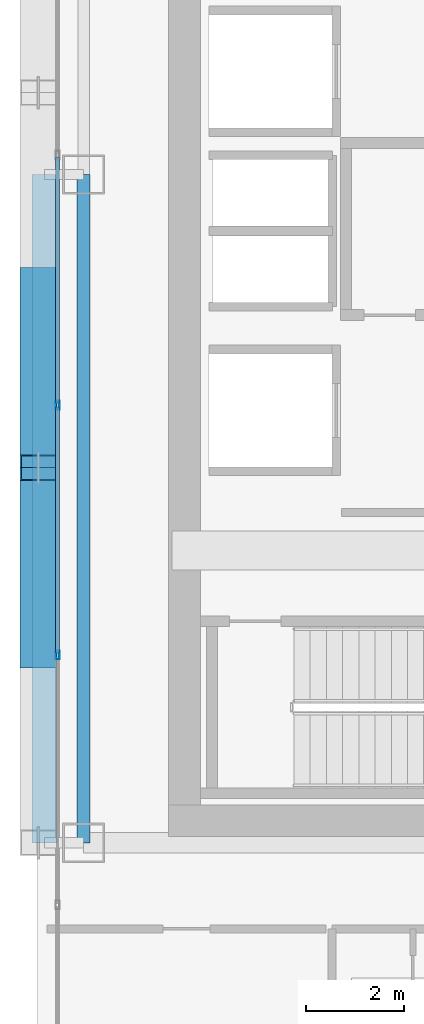
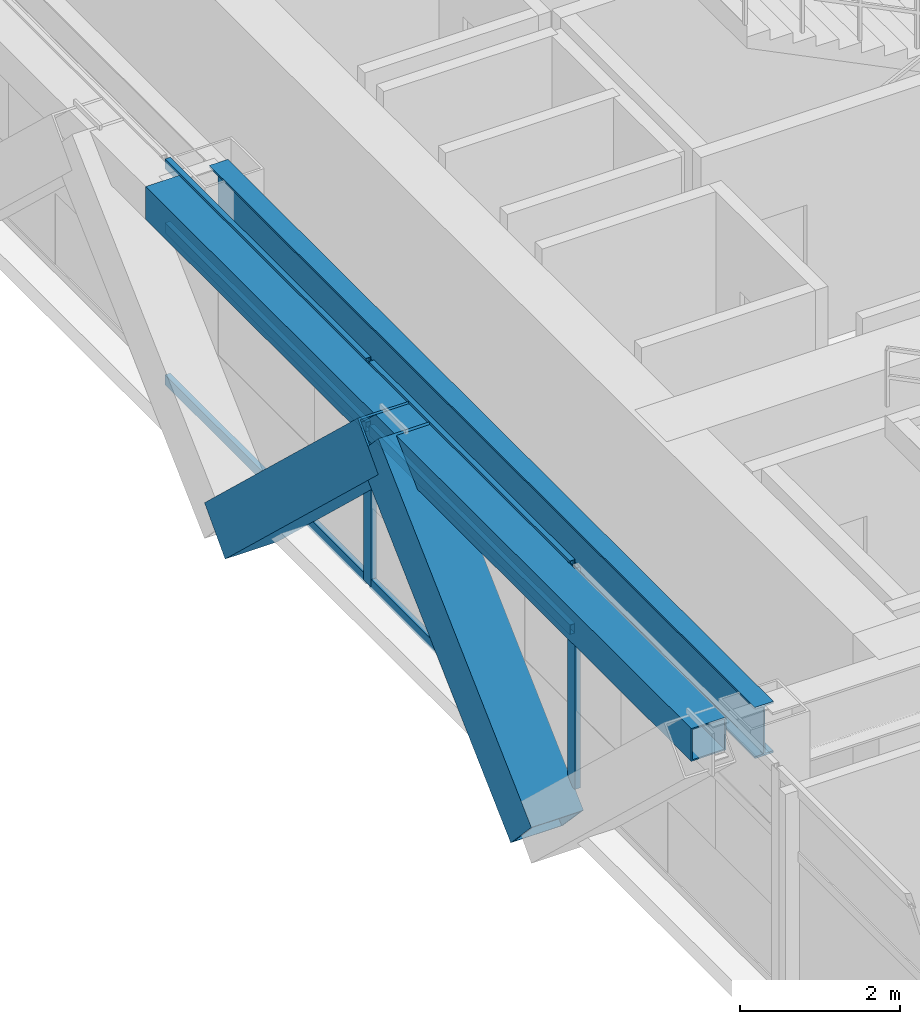
# One storey, part 6 of 35: 10 members, 2 beams, 1 element without a shape of its own.
"""IFC4 building model written with IfcOpenShell, lengths in metres."""

import ifcopenshell
import ifcopenshell.guid

model = None  # the IFC model being written
_history = None  # IfcOwnerHistory: only IFC2X3 demands one
_inside = {}  # id of a spatial element -> (the spatial element, [elements in it])
_under = {}  # id of a project, library or spatial element -> (it, [spatial elements below it])
_declared = {}  # id of a project -> (the project, [libraries it declares])
_typed = {}  # id of a type object -> (the type object, [elements of that type])
_made_of = {}  # id of a material, layer set ... -> (it, [elements and type objects made of it])


def new_model(schema):
    """Start an empty IFC model of exactly this schema.

    Asked for "IFC4X3", IfcOpenShell would pick the latest addendum, in which some entities
    have other attributes; the version numbers below select the first issue.
    IFC2X3 requires an IfcOwnerHistory on every rooted entity: one is made here for all.
    """
    global model, _history
    if schema == "IFC4X3":
        model = ifcopenshell.file(schema_version=(4, 3, 0, 0))
    else:
        model = ifcopenshell.file(schema=schema)
    _inside.clear()
    _under.clear()
    _declared.clear()
    _typed.clear()
    _made_of.clear()
    _history = None
    if model.schema == "IFC2X3":
        org = make("IfcOrganization", Name="unknown")
        user = make(
            "IfcPersonAndOrganization",
            ThePerson=make("IfcPerson", FamilyName="unknown"),
            TheOrganization=org,
        )
        app = make(
            "IfcApplication",
            ApplicationDeveloper=org,
            Version="unknown",
            ApplicationFullName="unknown",
            ApplicationIdentifier="unknown",
        )
        _history = make(
            "IfcOwnerHistory",
            OwningUser=user,
            OwningApplication=app,
            ChangeAction="ADDED",
            CreationDate=0,
        )
    return model


def make(cls, **values):
    """One entity of the class cls with the attributes given. An attribute that is None is left unset."""
    return model.create_entity(
        cls, **{name: value for name, value in values.items() if value is not None}
    )


def rooted(cls, **values):
    """An entity with a GlobalId (a new one), such as an element, a storey or a relation."""
    return make(cls, GlobalId=ifcopenshell.guid.new(), OwnerHistory=_history, **values)


def si_unit(unit_type, name, prefix=None):
    """IfcSIUnit, for example si_unit("LENGTHUNIT", "METRE", prefix="MILLI")."""
    return make("IfcSIUnit", UnitType=unit_type, Prefix=prefix, Name=name)


def assignment(units):
    """IfcUnitAssignment: the units of a project."""
    return None if units is None else make("IfcUnitAssignment", Units=units)


def point(xyz):
    """IfcCartesianPoint."""
    return None if xyz is None else make("IfcCartesianPoint", Coordinates=xyz)


def direction(xyz):
    """IfcDirection."""
    return None if xyz is None else make("IfcDirection", DirectionRatios=xyz)


def frame(location, z_axis=None, x_axis=None):
    """IfcAxis2Placement3D, a coordinate frame: its origin and axes. An axis left out is left unset."""
    return make(
        "IfcAxis2Placement3D",
        Location=point(location),
        Axis=direction(z_axis),
        RefDirection=direction(x_axis),
    )


def frame_2d(location, x_axis=None):
    """IfcAxis2Placement2D, a coordinate frame in the plane: its origin and x axis."""
    return make(
        "IfcAxis2Placement2D", Location=point(location), RefDirection=direction(x_axis)
    )


def origin():
    """The frame at (0, 0, 0) with its axes left unset."""
    return frame((0.0, 0.0, 0.0))


def origin_2d():
    """The frame at (0, 0) in the plane with its x axis left unset."""
    return frame_2d((0.0, 0.0))


def place(relative_to, where):
    """IfcLocalPlacement: puts the frame where relative to a parent placement (None: the world)."""
    return make(
        "IfcLocalPlacement", PlacementRelTo=relative_to, RelativePlacement=where
    )


def context(
    kind, dimensions, precision=None, world=None, true_north=None, identifier=None
):
    """IfcGeometricRepresentationContext, for example the 3D "Model" context."""
    return make(
        "IfcGeometricRepresentationContext",
        ContextIdentifier=identifier,
        ContextType=kind,
        CoordinateSpaceDimension=dimensions,
        Precision=precision,
        WorldCoordinateSystem=world,
        TrueNorth=true_north,
    )


def subcontext(parent, identifier, kind, view, scale=None):
    """IfcGeometricRepresentationSubContext, for example "Body" below "Model"."""
    return make(
        "IfcGeometricRepresentationSubContext",
        ContextIdentifier=identifier,
        ContextType=kind,
        ParentContext=parent,
        TargetScale=scale,
        TargetView=view,
    )


def project(units=None, contexts=None):
    """IfcProject with its units and contexts."""
    return rooted(
        "IfcProject",
        Name="project",
        RepresentationContexts=contexts,
        UnitsInContext=assignment(units),
    )


def spatial(cls, under=None, at=None, **own):
    """A site, building, storey or space (cls), placed at a placement, below another one or the project."""
    s = rooted(cls, ObjectPlacement=at, **own)
    if under is not None:
        _under.setdefault(under.id(), (under, []))[1].append(s)
    return s


def profile(cls, at=None, kind="AREA", **sizes):
    """A parametric profile (cls). Its sizes go by their IFC names, for example OverallWidth=200.0."""
    return make(cls, ProfileType=kind, Position=at, **sizes)


def hollow_rectangle(**sizes):
    """IfcRectangleHollowProfileDef."""
    return profile("IfcRectangleHollowProfileDef", **sizes)


def i_section(**sizes):
    """IfcIShapeProfileDef."""
    return profile("IfcIShapeProfileDef", **sizes)


def extrude(swept, where, along, depth):
    """IfcExtrudedAreaSolid: the profile swept, set in the frame where, extruded along a direction by depth."""
    return make(
        "IfcExtrudedAreaSolid",
        SweptArea=swept,
        Position=where,
        ExtrudedDirection=direction(along),
        Depth=depth,
    )


def shape(context_of_items, identifier, shape_type, items):
    """IfcShapeRepresentation: the items that make up one representation, for example the "Body"."""
    return make(
        "IfcShapeRepresentation",
        ContextOfItems=context_of_items,
        RepresentationIdentifier=identifier,
        RepresentationType=shape_type,
        Items=items,
    )


def source(mapping_origin, context_of_items, identifier, shape_type, items):
    """IfcRepresentationMap: a shape defined once, which mapped items show again and again."""
    return make(
        "IfcRepresentationMap",
        MappingOrigin=mapping_origin,
        MappedRepresentation=shape(context_of_items, identifier, shape_type, items),
    )


def transform(
    local_origin,
    x_axis=None,
    y_axis=None,
    z_axis=None,
    scale=None,
    scale2=None,
    scale3=None,
    uniform=True,
):
    """IfcCartesianTransformationOperator3D, or its non-uniform kind. x_axis, y_axis, z_axis: its Axis1, 2, 3."""
    if uniform:
        return make(
            "IfcCartesianTransformationOperator3D",
            Axis1=direction(x_axis),
            Axis2=direction(y_axis),
            LocalOrigin=point(local_origin),
            Scale=scale,
            Axis3=direction(z_axis),
        )
    return make(
        "IfcCartesianTransformationOperator3DnonUniform",
        Axis1=direction(x_axis),
        Axis2=direction(y_axis),
        LocalOrigin=point(local_origin),
        Scale=scale,
        Axis3=direction(z_axis),
        Scale2=scale2,
        Scale3=scale3,
    )


def mapped(mapping_source, mapping_target):
    """IfcMappedItem: shows the shape of a source again, moved by a transform."""
    return make(
        "IfcMappedItem", MappingSource=mapping_source, MappingTarget=mapping_target
    )


def material(Name=None, Category=None):
    """IfcMaterial."""
    return make("IfcMaterial", Name=Name, Category=Category)


def layer(
    of_material, thickness, ventilated=None, Name=None, Category=None, Priority=None
):
    """IfcMaterialLayer: one layer of a wall or slab, of a material (None: an air gap)."""
    return make(
        "IfcMaterialLayer",
        Material=of_material,
        LayerThickness=thickness,
        IsVentilated=ventilated,
        Name=Name,
        Category=Category,
        Priority=Priority,
    )


def layer_set(layers, Name=None):
    """IfcMaterialLayerSet."""
    return make("IfcMaterialLayerSet", MaterialLayers=layers, LayerSetName=Name)


def material_profile(
    of_material, cross_section, Name=None, Category=None, Priority=None
):
    """IfcMaterialProfile: a cross section and its material."""
    return make(
        "IfcMaterialProfile",
        Name=Name,
        Material=of_material,
        Profile=cross_section,
        Priority=Priority,
        Category=Category,
    )


def profile_set(profiles, Name=None, composite=None):
    """IfcMaterialProfileSet."""
    return make(
        "IfcMaterialProfileSet",
        Name=Name,
        MaterialProfiles=profiles,
        CompositeProfile=composite,
    )


def made_of(thing, what):
    """Note that an element or type object is made of a material, layer set ...; save() writes the relation."""
    if what is not None:
        _made_of.setdefault(what.id(), (what, []))[1].append(thing)
    return thing


def type_object(cls, material=None, **own):
    """A type object (cls), such as IfcWallType, which elements share."""
    return made_of(rooted(cls, **own), material)


def element(
    cls,
    number,
    at=None,
    inside=None,
    cuts=None,
    type_object=None,
    material=None,
    context=None,
    identifier="Body",
    shape_type=None,
    held_by="IfcProductDefinitionShape",
    body=None,
    shapes=None,
    **own,
):
    """One element of the class cls, such as IfcWall. Its Tag is "e" and its number.

    at: its placement. inside: the storey or other place that contains it. cuts: it is an
    opening in that element (IfcRelVoidsElement). A single representation is given by context,
    identifier, shape_type and body (its items); several are given by shapes. held_by: the class
    of the entity that holds the representations. save() writes the other relations.
    """
    e = rooted(cls, Tag="e%d" % number, ObjectPlacement=at, **own)
    if body is not None:
        shapes = [shape(context, identifier, shape_type, body)]
    if shapes is not None:
        e.Representation = make(held_by, Representations=shapes)
    if inside is not None:
        _inside.setdefault(inside.id(), (inside, []))[1].append(e)
    if cuts is not None:
        rooted(
            "IfcRelVoidsElement", RelatingBuildingElement=cuts, RelatedOpeningElement=e
        )
    if type_object is not None:
        _typed.setdefault(type_object.id(), (type_object, []))[1].append(e)
    return made_of(e, material)


def aggregate(whole, parts):
    """IfcRelAggregates: a whole, such as a stair, and the parts it consists of."""
    return rooted("IfcRelAggregates", RelatingObject=whole, RelatedObjects=parts)


def save(model, path):
    """Write the relations noted so far, then the file.

    IfcRelAggregates (storeys below a building ...), IfcRelContainedInSpatialStructure (elements
    in a storey), IfcRelDefinesByType, IfcRelAssociatesMaterial and IfcRelDeclares: one each for
    every whole, place, type object, material and project.
    """
    for whole, parts in _under.values():
        aggregate(whole, parts)
    for where, things in _inside.values():
        rooted(
            "IfcRelContainedInSpatialStructure",
            RelatedElements=things,
            RelatingStructure=where,
        )
    for kind, things in _typed.values():
        rooted("IfcRelDefinesByType", RelatedObjects=things, RelatingType=kind)
    for what, things in _made_of.values():
        rooted("IfcRelAssociatesMaterial", RelatedObjects=things, RelatingMaterial=what)
    for by, libraries in _declared.values():
        rooted("IfcRelDeclares", RelatingContext=by, RelatedDefinitions=libraries)
    model.write(path)


model = new_model("IFC4")

# Units and contexts
model_context = context("Model", 3, precision=1e-05, world=origin(), true_north=direction((0.0, 1.0)))
body_context = subcontext(model_context, "Body", "Model", "MODEL_VIEW")
ifc_project = project(units=[si_unit("LENGTHUNIT", "METRE"), si_unit("AREAUNIT", "SQUARE_METRE"), si_unit("VOLUMEUNIT", "CUBIC_METRE"), si_unit("PLANEANGLEUNIT", "RADIAN"), si_unit("MASSUNIT", "GRAM", prefix="KILO")], contexts=[model_context])

# Site, building, storey
site_placement = place(None, origin())
site = spatial("IfcSite", under=ifc_project, at=site_placement, CompositionType="ELEMENT")
building_placement = place(site_placement, origin())
building = spatial("IfcBuilding", under=site, at=building_placement, Name="Ocotamira Hotel", CompositionType="ELEMENT")
storey_placement = place(building_placement, frame((0.0, 0.0, 122.39990234375)))
storey = spatial("IfcBuildingStorey", under=building, at=storey_placement, Name="L30", CompositionType="ELEMENT", Elevation=122.39990234375)

# Beams
ifc_material_1 = material(Name="Steel ASTM A992 Grade 50", Category="steel")
ifc_material_profile_1 = material_profile(ifc_material_1, i_section(OverallWidth=0.26611328125, OverallDepth=0.779052734375, WebThickness=0.0166015625, FlangeThickness=0.030029296875, FilletRadius=0.01806640625, at=origin_2d()), Name="W30X148")
ifc_profile_set_1 = profile_set([ifc_material_profile_1], Name="Steel ASTM A992 Grade 50")
beam_type_1 = type_object("IfcBeamType", Name="BM-GIRD-W30X148", PredefinedType="BEAM", material=ifc_profile_set_1)
shared_shape_1 = source(origin(), body_context, "Body", "SweptSolid", [
    extrude(i_section(OverallWidth=0.26611328125, OverallDepth=0.779052734375, WebThickness=0.0166015625, FlangeThickness=0.030029296875, FilletRadius=0.01806640625, at=origin_2d()), origin(), (0.0, 0.0, 1.0), 13.599853515625),
])
beam_1_placement = place(storey_placement, frame((8.949951171875, 14.550048828125, 2.970703125), z_axis=(0.0, 1.0, 0.0), x_axis=(-1.0, 0.0, 0.0)))
element("IfcBeam", 1, at=beam_1_placement, inside=storey, type_object=beam_type_1, Name="L30 Beam X8.95 Y14.55-28.15", PredefinedType="BEAM", context=body_context, shape_type="MappedRepresentation", body=[
    mapped(shared_shape_1, transform((0.0, 0.0, 0.0), scale=1.0)),
])
ifc_material_2 = material(Name="Steel ASTM A500 Grade C", Category="steel")
ifc_material_profile_2 = material_profile(ifc_material_2, hollow_rectangle(XDim=0.5, YDim=0.5, WallThickness=0.02001953125, at=origin_2d()), Name="HSS500X500X20")
ifc_profile_set_2 = profile_set([ifc_material_profile_2], Name="Steel ASTM A500 Grade C")
beam_type_2 = type_object("IfcBeamType", Name="BM-SPAN-HSS500", PredefinedType="USERDEFINED", material=ifc_profile_set_2)
shared_shape_2 = source(origin(), body_context, "Body", "SweptSolid", [
    extrude(hollow_rectangle(XDim=0.5, YDim=0.5, WallThickness=0.02001953125, at=origin_2d()), origin(), (0.0, 0.0, 1.0), 13.599853515625),
])
beam_2_placement = place(storey_placement, frame((8.14990234375, 14.550048828125, 3.110107421875), z_axis=(0.0, 1.0, 0.0), x_axis=(-1.0, 0.0, 0.0)))
element("IfcBeam", 2, at=beam_2_placement, inside=storey, type_object=beam_type_2, Name="L30 Edge Spandrel W Y14.55-28.15", ObjectType="SPANDREL", PredefinedType="USERDEFINED", context=body_context, shape_type="MappedRepresentation", body=[
    mapped(shared_shape_2, transform((0.0, 0.0, 0.0), scale=1.0)),
])

# Members
ifc_material_3 = material(Name="Pale-metal coated steel ASTM A913 Grade 65", Category="steel")
ifc_material_profile_3 = material_profile(ifc_material_3, hollow_rectangle(XDim=0.75, YDim=0.75, WallThickness=0.028076171875, at=origin_2d()), Name="BOX750X750X28")
ifc_profile_set_3 = profile_set([ifc_material_profile_3], Name="Pale-metal coated steel ASTM A913 Grade 65")
member_type_1 = type_object("IfcMemberType", Name="MEM-EXO-BOX750", PredefinedType="BRACE", material=ifc_profile_set_3)
shared_shape_3 = source(origin(), body_context, "Body", "SweptSolid", [
    extrude(hollow_rectangle(XDim=0.75, YDim=0.75, WallThickness=0.028076171875, at=origin_2d()), origin(), (0.0, 0.0, 1.0), 5.24658203125),
])
for number, where, z_axis, x_axis, name in (
    (3, (8.030029296875, 18.36669921875, -0.489990234375), (0.0, 0.727442733726, 0.686168397078), (-1.0, 0.0, 0.0), "L30 Exoskeleton Diagrid W0.2"),
    (4, (8.030029296875, 26.0, -0.489990234375), (0.0, -0.727442733726, 0.686168397078), (1.0, 0.0, 0.0), "L30 Exoskeleton Diagrid W1.1"),
):
    element("IfcMember", number, at=place(storey_placement, frame(where, z_axis=z_axis, x_axis=x_axis)), inside=storey, type_object=member_type_1, Name=name, PredefinedType="BRACE", context=body_context, shape_type="MappedRepresentation", body=[
        mapped(shared_shape_3, transform((0.0, 0.0, 0.0), scale=1.0)),
    ])

# Curtain wall, members
ifc_material_4 = material(Name="Anodised pale-metal aluminium and solar glass", Category="aluminium")
ifc_layer = layer(ifc_material_4, 0.179931640625)
ifc_layer_set = layer_set([ifc_layer], Name="Anodised pale-metal aluminium and solar glass")
curtain_wall_type = type_object("IfcCurtainWallType", Name="CW-SYS3-Z2", PredefinedType="NOTDEFINED", material=ifc_layer_set)
curtain_wall_placement = place(storey_placement, origin())
curtain_wall = element("IfcCurtainWall", 5, at=curtain_wall_placement, inside=storey, type_object=curtain_wall_type, Name="L30 Curtain Wall CW-3 CW-L30-W", PredefinedType="NOTDEFINED")
ifc_material_5 = material(Name="Anodised pale-metal aluminium 6063-T6", Category="aluminium")
ifc_material_profile_4 = material_profile(ifc_material_5, hollow_rectangle(XDim=0.074951171875, YDim=0.14990234375, WallThickness=0.006103515625, at=origin_2d()), Name="HSS150X75X6")
ifc_profile_set_4 = profile_set([ifc_material_profile_4], Name="Anodised pale-metal aluminium 6063-T6")
member_type_2 = type_object("IfcMemberType", Name="CWT-150X75", PredefinedType="USERDEFINED", material=ifc_profile_set_4)
shared_shape_4 = source(origin(), body_context, "Body", "SweptSolid", [
    extrude(hollow_rectangle(XDim=0.074951171875, YDim=0.14990234375, WallThickness=0.006103515625, at=origin_2d()), origin(), (0.0, 0.0, 1.0), 5.005859375),
])
member_1_placement = place(storey_placement, frame((8.419921875, 18.411376953125, 0.03759765625), z_axis=(0.0, 1.0, 0.0), x_axis=(-1.0, 0.0, 0.0)))
member_1 = element("IfcMember", 6, at=member_1_placement, type_object=member_type_2, Name="CW-3 transom 3.1", ObjectType="TRANSOM", PredefinedType="USERDEFINED", context=body_context, shape_type="MappedRepresentation", body=[
    mapped(shared_shape_4, transform((0.0, 0.0, 0.0), scale=1.0)),
])
member_2_placement = place(storey_placement, frame((8.419921875, 18.411376953125, 2.35009765625), z_axis=(0.0, 1.0, 0.0), x_axis=(-1.0, 0.0, 0.0)))
member_2 = element("IfcMember", 7, at=member_2_placement, type_object=member_type_2, Name="CW-3 transom 3.2", ObjectType="TRANSOM", PredefinedType="USERDEFINED", context=body_context, shape_type="MappedRepresentation", body=[
    mapped(shared_shape_4, transform((0.0, 0.0, 0.0), scale=1.0)),
])
member_3_placement = place(storey_placement, frame((8.419921875, 18.411376953125, 3.322509765625), z_axis=(0.0, 1.0, 0.0), x_axis=(-1.0, 0.0, 0.0)))
member_3 = element("IfcMember", 8, at=member_3_placement, type_object=member_type_2, Name="CW-3 transom 3.3", ObjectType="TRANSOM", PredefinedType="USERDEFINED", context=body_context, shape_type="MappedRepresentation", body=[
    mapped(shared_shape_4, transform((0.0, 0.0, 0.0), scale=1.0)),
])
member_4_placement = place(storey_placement, frame((8.419921875, 23.4970703125, 0.03759765625), z_axis=(0.0, 1.0, 0.0), x_axis=(-1.0, 0.0, 0.0)))
member_4 = element("IfcMember", 9, at=member_4_placement, type_object=member_type_2, Name="CW-3 transom 4.1", ObjectType="TRANSOM", PredefinedType="USERDEFINED", context=body_context, shape_type="MappedRepresentation", body=[
    mapped(shared_shape_4, transform((0.0, 0.0, 0.0), scale=1.0)),
])
member_5_placement = place(storey_placement, frame((8.419921875, 23.4970703125, 2.35009765625), z_axis=(0.0, 1.0, 0.0), x_axis=(-1.0, 0.0, 0.0)))
member_5 = element("IfcMember", 10, at=member_5_placement, type_object=member_type_2, Name="CW-3 transom 4.2", ObjectType="TRANSOM", PredefinedType="USERDEFINED", context=body_context, shape_type="MappedRepresentation", body=[
    mapped(shared_shape_4, transform((0.0, 0.0, 0.0), scale=1.0)),
])
member_6_placement = place(storey_placement, frame((8.419921875, 23.4970703125, 3.322509765625), z_axis=(0.0, 1.0, 0.0), x_axis=(-1.0, 0.0, 0.0)))
member_6 = element("IfcMember", 11, at=member_6_placement, type_object=member_type_2, Name="CW-3 transom 4.3", ObjectType="TRANSOM", PredefinedType="USERDEFINED", context=body_context, shape_type="MappedRepresentation", body=[
    mapped(shared_shape_4, transform((0.0, 0.0, 0.0), scale=1.0)),
])
ifc_material_profile_5 = material_profile(ifc_material_5, hollow_rectangle(XDim=0.080078125, YDim=0.179931640625, WallThickness=0.006103515625, at=origin_2d()), Name="HSS180X80X6")
ifc_profile_set_5 = profile_set([ifc_material_profile_5], Name="Anodised pale-metal aluminium 6063-T6")
member_type_3 = type_object("IfcMemberType", Name="CWM-180X75", PredefinedType="MULLION", material=ifc_profile_set_5)
shared_shape_5 = source(origin(), body_context, "Body", "SweptSolid", [
    extrude(hollow_rectangle(XDim=0.080078125, YDim=0.179931640625, WallThickness=0.006103515625, at=origin_2d()), origin(), (0.0, 0.0, 1.0), 3.360107421875),
])
member_7_placement = place(storey_placement, frame((8.419921875, 18.371337890625, 0.0), z_axis=(0.0, 0.0, 1.0), x_axis=(-1.0, 0.0, 0.0)))
member_7 = element("IfcMember", 12, at=member_7_placement, type_object=member_type_3, Name="CW-3 mullion 3", PredefinedType="MULLION", context=body_context, shape_type="MappedRepresentation", body=[
    mapped(shared_shape_5, transform((0.0, 0.0, 0.0), scale=1.0)),
])
member_8_placement = place(storey_placement, frame((8.419921875, 23.45703125, 0.0), z_axis=(0.0, 0.0, 1.0), x_axis=(-1.0, 0.0, 0.0)))
member_8 = element("IfcMember", 13, at=member_8_placement, type_object=member_type_3, Name="CW-3 mullion 4", PredefinedType="MULLION", context=body_context, shape_type="MappedRepresentation", body=[
    mapped(shared_shape_5, transform((0.0, 0.0, 0.0), scale=1.0)),
])
aggregate(curtain_wall, [member_7, member_8, member_1, member_2, member_3, member_4, member_5, member_6])

save(model, "model.ifc")
